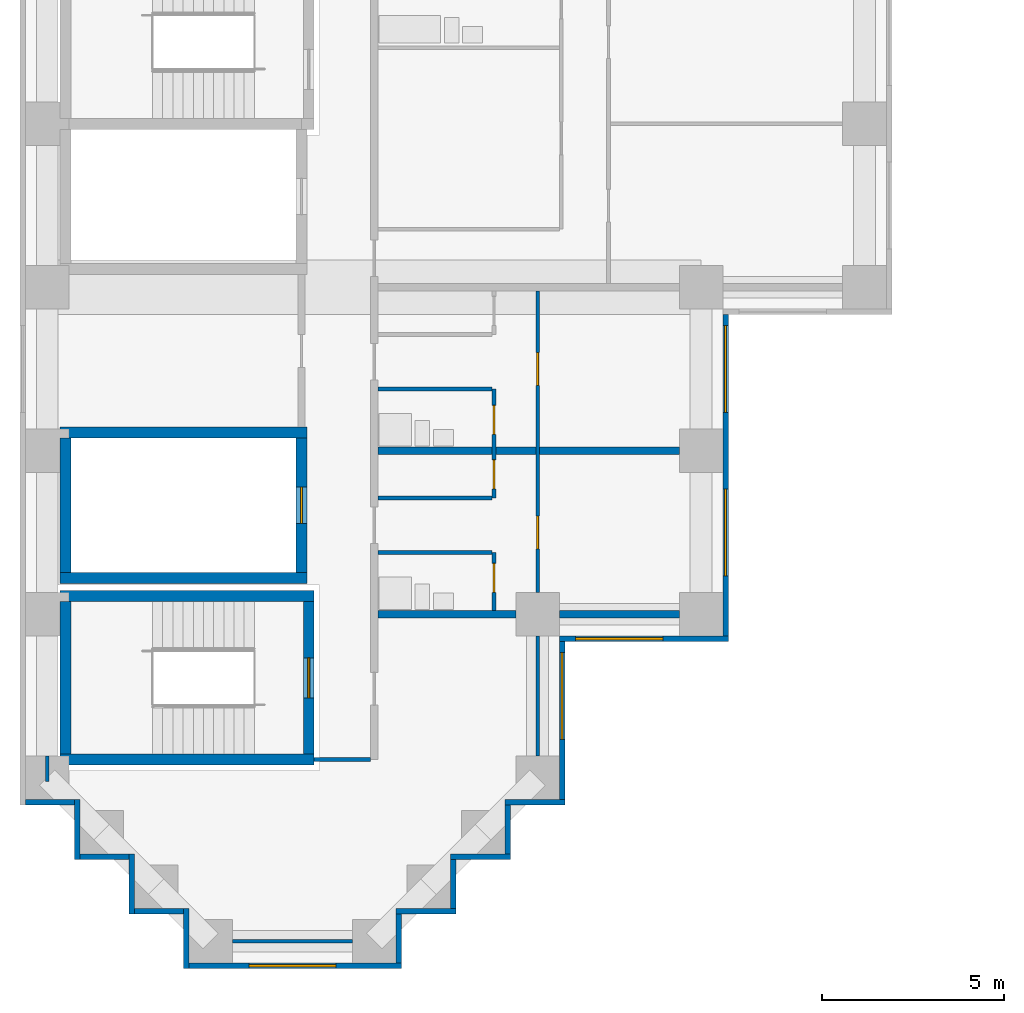
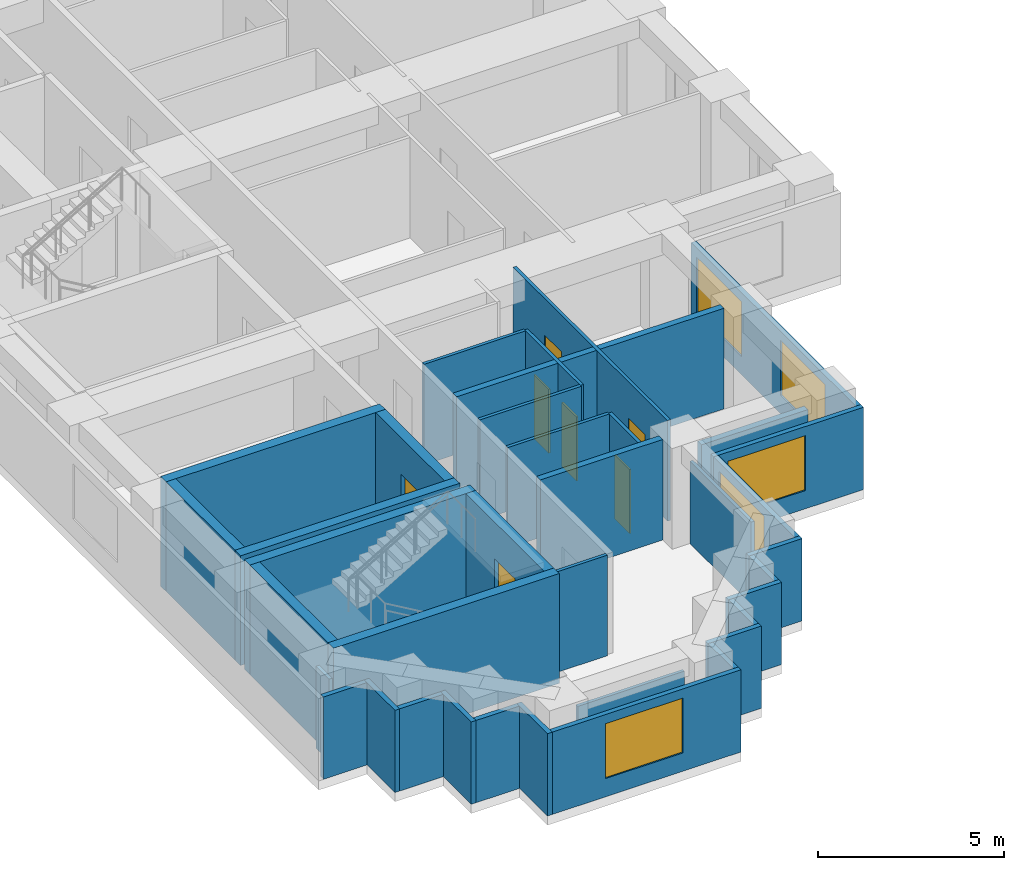
# One storey, part 2 of 12: 37 walls, 7 doors, 5 windows, 12 openings.
"""IFC4 building model written with IfcOpenShell, lengths in metres."""

from ifc_helpers import new_model, si_unit, direction, frame, frame_2d, origin, place, context, subcontext, project, spatial, rectangle, extrude, material, layer, layer_set, type_object, element, fill, save


model = new_model("IFC4")

# Units and contexts
model_context = context("Model", 3, precision=1e-05, world=origin(), true_north=direction((0.0, 1.0)))
body_context = subcontext(model_context, "Body", "Model", "MODEL_VIEW")
ifc_project = project(units=[si_unit("LENGTHUNIT", "METRE"), si_unit("AREAUNIT", "SQUARE_METRE"), si_unit("VOLUMEUNIT", "CUBIC_METRE"), si_unit("PLANEANGLEUNIT", "RADIAN"), si_unit("MASSUNIT", "GRAM", prefix="KILO")], contexts=[model_context])

# Site, building, storey
site_placement = place(None, origin())
site = spatial("IfcSite", under=ifc_project, at=site_placement, CompositionType="ELEMENT")
building_placement = place(site_placement, origin())
building = spatial("IfcBuilding", under=site, at=building_placement, Name="Firuza Court", CompositionType="ELEMENT")
storey_placement = place(building_placement, frame((0.0, 0.0, 36.199951171875)))
storey = spatial("IfcBuildingStorey", under=building, at=storey_placement, Name="L07", CompositionType="ELEMENT", Elevation=36.199951171875)

# Walls
ifc_material_1 = material(Name="Moisture-resistant gypsum board partition")
ifc_layer_1 = layer(ifc_material_1, 0.10009765625)
ifc_layer_set_1 = layer_set([ifc_layer_1], Name="Moisture-resistant gypsum board partition")
wall_type_1 = type_object("IfcWallType", Name="Bathroom partition 100", PredefinedType="PLUMBINGWALL", material=ifc_layer_set_1)
for number, where, z_axis, x_axis, name in (
    (1, (9.10009765625, 10.699951171875, 0.0), (0.0, 0.0, 1.0), (1.0, 0.0, 0.0), "Bathroom partition 100 L07"),
    (2, (9.10009765625, 15.199951171875, 0.0), (0.0, 0.0, 1.0), (1.0, 0.0, 0.0), "Bathroom partition 100 L07"),
):
    element("IfcWall", number, at=place(storey_placement, frame(where, z_axis=z_axis, x_axis=x_axis)), inside=storey, type_object=wall_type_1, Name=name, PredefinedType="PLUMBINGWALL", context=body_context, shape_type="SweptSolid", body=[
        extrude(rectangle(XDim=3.14990234375, YDim=0.10009765625, at=frame_2d((1.574951171875, 0.0))), origin(), (0.0, 0.0, 1.0), 3.300048828125),
    ])
ifc_material_2 = material(Name="Concrete C60/75", Category="concrete")
ifc_layer_2 = layer(ifc_material_2, 0.300048828125)
ifc_layer_set_2 = layer_set([ifc_layer_2], Name="Concrete C60/75")
wall_type_2 = type_object("IfcWallType", Name="Core wall 300 C60/75", PredefinedType="SHEAR", material=ifc_layer_set_2)
for number, where, z_axis, x_axis, name in (
    (3, (0.35009765625, 5.0, -0.300048828125), (0.0, 0.0, 1.0), (1.0, 0.0, 0.0), "Core wall stair L07"),
    (4, (0.35009765625, 9.5, -0.300048828125), (0.0, 0.0, 1.0), (1.0, 0.0, 0.0), "Core wall stair L07"),
):
    element("IfcWall", number, at=place(storey_placement, frame(where, z_axis=z_axis, x_axis=x_axis)), inside=storey, type_object=wall_type_2, Name=name, PredefinedType="SHEAR", context=body_context, shape_type="SweptSolid", body=[
        extrude(rectangle(XDim=7.0, YDim=0.300048828125, at=frame_2d((3.5, 0.0))), origin(), (0.0, 0.0, 1.0), 3.60009765625),
    ])
for number, where, z_axis, x_axis, name in (
    (5, (0.35009765625, 10.0, -0.300048828125), (0.0, 0.0, 1.0), (1.0, 0.0, 0.0), "Core wall riser L07"),
    (6, (0.35009765625, 14.0, -0.300048828125), (0.0, 0.0, 1.0), (1.0, 0.0, 0.0), "Core wall riser L07"),
):
    element("IfcWall", number, at=place(storey_placement, frame(where, z_axis=z_axis, x_axis=x_axis)), inside=storey, type_object=wall_type_2, Name=name, PredefinedType="SHEAR", context=body_context, shape_type="SweptSolid", body=[
        extrude(rectangle(XDim=6.7998046875, YDim=0.300048828125, at=frame_2d((3.39990234375, 0.0))), origin(), (0.0, 0.0, 1.0), 3.60009765625),
    ])
wall_1_placement = place(storey_placement, frame((0.5, 5.14990234375, -0.300048828125), z_axis=(0.0, 0.0, 1.0), x_axis=(0.0, 1.0, 0.0)))
element("IfcWall", 7, at=wall_1_placement, inside=storey, type_object=wall_type_2, Name="Core wall stair L07", PredefinedType="SHEAR", context=body_context, shape_type="SweptSolid", body=[
    extrude(rectangle(XDim=4.2001953125, YDim=0.300048828125, at=frame_2d((2.10009765625, 0.0))), origin(), (0.0, 0.0, 1.0), 3.60009765625),
])
wall_2_placement = place(storey_placement, frame((0.5, 10.14990234375, -0.300048828125), z_axis=(0.0, 0.0, 1.0), x_axis=(0.0, 1.0, 0.0)))
element("IfcWall", 8, at=wall_2_placement, inside=storey, type_object=wall_type_2, Name="Core wall riser L07", PredefinedType="SHEAR", context=body_context, shape_type="SweptSolid", body=[
    extrude(rectangle(XDim=3.7001953125, YDim=0.300048828125, at=frame_2d((1.85009765625, 0.0))), origin(), (0.0, 0.0, 1.0), 3.60009765625),
])

# Wall, opening, door
wall_3_placement = place(storey_placement, frame((7.0, 10.14990234375, -0.300048828125), z_axis=(0.0, 0.0, 1.0), x_axis=(0.0, 1.0, 0.0)))
wall_3 = element("IfcWall", 9, at=wall_3_placement, inside=storey, type_object=wall_type_2, Name="Core wall riser L07", PredefinedType="SHEAR", context=body_context, shape_type="SweptSolid", body=[
    extrude(rectangle(XDim=3.7001953125, YDim=0.300048828125, at=frame_2d((1.85009765625, 0.0))), origin(), (0.0, 0.0, 1.0), 3.60009765625),
])
opening_1_placement = place(wall_3_placement, frame((1.35009765625, 0.0, 0.300048828125)))
opening_1 = element("IfcOpeningElement", 10, at=opening_1_placement, cuts=wall_3, Name="Opening D07012", PredefinedType="OPENING", context=body_context, shape_type="SweptSolid", body=[
    extrude(rectangle(XDim=1.0, YDim=2.10009765625, at=frame_2d((0.5, 1.050048828125))), frame((0.0, 0.162109375, 0.0), z_axis=(0.0, -1.0, 0.0), x_axis=(1.0, 0.0, 0.0)), (0.0, 0.0, 1.0), 0.323974609375),
])
ifc_material_3 = material(Name="Timber door leaf in hardwood frame", Category="wood")
door_type_1 = type_object("IfcDoorType", Name="Riser door 1000", OperationType="SINGLE_SWING_LEFT", PredefinedType="DOOR", material=ifc_material_3)
door_1_placement = place(opening_1_placement, origin())
door_1 = element("IfcDoor", 11, at=door_1_placement, inside=storey, type_object=door_type_1, Name="Riser door R4", OperationType="SINGLE_SWING_LEFT", OverallHeight=2.10009765625, OverallWidth=1.0, PredefinedType="DOOR", context=body_context, shape_type="SweptSolid", body=[
    extrude(rectangle(XDim=1.0, YDim=2.10009765625, at=frame_2d((0.5, 1.050048828125))), frame((0.0, 0.02490234375, 0.0), z_axis=(0.0, -1.0, 0.0), x_axis=(1.0, 0.0, 0.0)), (0.0, 0.0, 1.0), 0.050048828125),
])
fill(opening_1, door_1)

wall_4_placement = place(storey_placement, frame((7.199951171875, 5.14990234375, -0.300048828125), z_axis=(0.0, 0.0, 1.0), x_axis=(0.0, 1.0, 0.0)))
wall_4 = element("IfcWall", 12, at=wall_4_placement, inside=storey, type_object=wall_type_2, Name="Core wall stair L07", PredefinedType="SHEAR", context=body_context, shape_type="SweptSolid", body=[
    extrude(rectangle(XDim=4.2001953125, YDim=0.300048828125, at=frame_2d((2.10009765625, 0.0))), origin(), (0.0, 0.0, 1.0), 3.60009765625),
])
opening_2_placement = place(wall_4_placement, frame((1.550048828125, 0.0, 0.300048828125)))
opening_2 = element("IfcOpeningElement", 13, at=opening_2_placement, cuts=wall_4, Name="Opening D07018", PredefinedType="OPENING", context=body_context, shape_type="SweptSolid", body=[
    extrude(rectangle(XDim=1.10009765625, YDim=2.10009765625, at=frame_2d((0.550048828125, 1.050048828125))), frame((0.0, 0.162109375, 0.0), z_axis=(0.0, -1.0, 0.0), x_axis=(1.0, 0.0, 0.0)), (0.0, 0.0, 1.0), 0.323974609375),
])
ifc_material_4 = material(Name="Timber door leaf in hardwood frame", Category="wood")
door_type_2 = type_object("IfcDoorType", Name="Stair door 1100", OperationType="SINGLE_SWING_LEFT", PredefinedType="DOOR", material=ifc_material_4)
door_2_placement = place(opening_2_placement, origin())
door_2 = element("IfcDoor", 14, at=door_2_placement, inside=storey, type_object=door_type_2, Name="Stair door S5", OperationType="SINGLE_SWING_LEFT", OverallHeight=2.10009765625, OverallWidth=1.10009765625, PredefinedType="DOOR", context=body_context, shape_type="SweptSolid", body=[
    extrude(rectangle(XDim=1.10009765625, YDim=2.10009765625, at=frame_2d((0.550048828125, 1.050048828125))), frame((0.0, 0.02490234375, 0.0), z_axis=(0.0, -1.0, 0.0), x_axis=(1.0, 0.0, 0.0)), (0.0, 0.0, 1.0), 0.050048828125),
])
fill(opening_2, door_2)

# Walls
ifc_material_5 = material(Name="Timber stud partition, plasterboard both sides", Category="wood")
ifc_layer_3 = layer(ifc_material_5, 0.10009765625)
ifc_layer_set_3 = layer_set([ifc_layer_3], Name="Timber stud partition, plasterboard both sides")
wall_type_3 = type_object("IfcWallType", Name="Partition wall 100", PredefinedType="PARTITIONING", material=ifc_layer_set_3)
wall_5_placement = place(storey_placement, frame((5.10009765625, 0.0, 0.0), z_axis=(0.0, 0.0, 1.0), x_axis=(1.0, 0.0, 0.0)))
element("IfcWall", 15, at=wall_5_placement, inside=storey, type_object=wall_type_3, Name="Partition wall 100 L07", PredefinedType="PARTITIONING", context=body_context, shape_type="SweptSolid", body=[
    extrude(rectangle(XDim=3.2998046875, YDim=0.10009765625, at=frame_2d((1.64990234375, 0.0))), origin(), (0.0, 0.0, 1.0), 2.699951171875),
])
wall_6_placement = place(storey_placement, frame((0.0, 4.39990234375, 0.0), z_axis=(0.0, 0.0, 1.0), x_axis=(0.0, 1.0, 0.0)))
element("IfcWall", 16, at=wall_6_placement, inside=storey, type_object=wall_type_3, Name="Partition wall 100 L07", PredefinedType="PARTITIONING", context=body_context, shape_type="SweptSolid", body=[
    extrude(rectangle(XDim=0.7001953125, YDim=0.10009765625, at=frame_2d((0.35009765625, 0.0))), origin(), (0.0, 0.0, 1.0), 2.699951171875),
])
wall_7_placement = place(storey_placement, frame((7.34912109375, 5.0, 0.0), z_axis=(0.0, 0.0, 1.0), x_axis=(1.0, 0.0, 0.0)))
element("IfcWall", 17, at=wall_7_placement, inside=storey, type_object=wall_type_3, Name="Partition wall 100 L07", PredefinedType="PARTITIONING", context=body_context, shape_type="SweptSolid", body=[
    extrude(rectangle(XDim=1.55078125, YDim=0.10009765625, at=frame_2d((0.775390625, 0.0))), origin(), (0.0, 0.0, 1.0), 3.300048828125),
])
wall_8_placement = place(storey_placement, frame((13.5, 5.10009765625, 0.0), z_axis=(0.0, 0.0, 1.0), x_axis=(0.0, 1.0, 0.0)))
element("IfcWall", 18, at=wall_8_placement, inside=storey, type_object=wall_type_3, Name="Partition wall 100 L07", PredefinedType="PARTITIONING", context=body_context, shape_type="SweptSolid", body=[
    extrude(rectangle(XDim=3.2998046875, YDim=0.10009765625, at=frame_2d((1.64990234375, 0.0))), origin(), (0.0, 0.0, 1.0), 2.699951171875),
])

# Wall, opening, door
wall_9_placement = place(storey_placement, frame((12.300048828125, 9.10009765625, 0.0), z_axis=(0.0, 0.0, 1.0), x_axis=(0.0, 1.0, 0.0)))
wall_9 = element("IfcWall", 19, at=wall_9_placement, inside=storey, type_object=wall_type_3, Name="Partition wall 100 L07", PredefinedType="PARTITIONING", context=body_context, shape_type="SweptSolid", body=[
    extrude(rectangle(XDim=1.599853515625, YDim=0.10009765625, at=frame_2d((0.7998046875, 0.0))), origin(), (0.0, 0.0, 1.0), 3.300048828125),
])
opening_3_placement = place(wall_9_placement, frame((0.5, 0.0, 0.0)))
opening_3 = element("IfcOpeningElement", 20, at=opening_3_placement, cuts=wall_9, Name="Opening D07025", PredefinedType="OPENING", context=body_context, shape_type="SweptSolid", body=[
    extrude(rectangle(XDim=0.800048828125, YDim=2.10009765625, at=frame_2d((0.39990234375, 1.050048828125))), frame((0.0, 0.06201171875, 0.0), z_axis=(0.0, -1.0, 0.0), x_axis=(1.0, 0.0, 0.0)), (0.0, 0.0, 1.0), 0.1240234375),
])
ifc_material_6 = material(Name="Timber door leaf in hardwood frame", Category="wood")
door_type_3 = type_object("IfcDoorType", Name="Bathroom door 800", OperationType="SINGLE_SWING_LEFT", PredefinedType="DOOR", material=ifc_material_6)
door_3_placement = place(opening_3_placement, origin())
door_3 = element("IfcDoor", 21, at=door_3_placement, inside=storey, type_object=door_type_3, Name="Bathroom door", OperationType="SINGLE_SWING_RIGHT", OverallHeight=2.10009765625, OverallWidth=0.800048828125, PredefinedType="DOOR", context=body_context, shape_type="SweptSolid", body=[
    extrude(rectangle(XDim=0.800048828125, YDim=2.10009765625, at=frame_2d((0.39990234375, 1.050048828125))), frame((0.0, 0.02490234375, 0.0), z_axis=(0.0, -1.0, 0.0), x_axis=(1.0, 0.0, 0.0)), (0.0, 0.0, 1.0), 0.050048828125),
])
fill(opening_3, door_3)

# Wall, openings, doors
wall_10_placement = place(storey_placement, frame((13.5, 9.60009765625, 0.0), z_axis=(0.0, 0.0, 1.0), x_axis=(0.0, 1.0, 0.0)))
wall_10 = element("IfcWall", 22, at=wall_10_placement, inside=storey, type_object=wall_type_3, Name="Partition wall 100 L07", PredefinedType="PARTITIONING", context=body_context, shape_type="SweptSolid", body=[
    extrude(rectangle(XDim=8.2998046875, YDim=0.10009765625, at=frame_2d((4.14990234375, 0.0))), origin(), (0.0, 0.0, 1.0), 3.300048828125),
])
opening_4_placement = place(wall_10_placement, frame((5.699951171875, 0.0, 0.0)))
opening_4 = element("IfcOpeningElement", 23, at=opening_4_placement, cuts=wall_10, Name="Opening D07026", PredefinedType="OPENING", context=body_context, shape_type="SweptSolid", body=[
    extrude(rectangle(XDim=0.89990234375, YDim=2.10009765625, at=frame_2d((0.449951171875, 1.050048828125))), frame((0.0, 0.06201171875, 0.0), z_axis=(0.0, -1.0, 0.0), x_axis=(1.0, 0.0, 0.0)), (0.0, 0.0, 1.0), 0.1240234375),
])
opening_5_placement = place(wall_10_placement, frame((1.199951171875, 0.0, 0.0)))
opening_5 = element("IfcOpeningElement", 24, at=opening_5_placement, cuts=wall_10, Name="Opening D07027", PredefinedType="OPENING", context=body_context, shape_type="SweptSolid", body=[
    extrude(rectangle(XDim=0.89990234375, YDim=2.10009765625, at=frame_2d((0.449951171875, 1.050048828125))), frame((0.0, 0.06201171875, 0.0), z_axis=(0.0, -1.0, 0.0), x_axis=(1.0, 0.0, 0.0)), (0.0, 0.0, 1.0), 0.1240234375),
])
ifc_material_7 = material(Name="Timber door leaf in hardwood frame", Category="wood")
door_type_4 = type_object("IfcDoorType", Name="Room door 900", OperationType="SINGLE_SWING_LEFT", PredefinedType="DOOR", material=ifc_material_7)
door_4_placement = place(opening_4_placement, frame((0.89990234375, 0.0, 0.0), z_axis=(0.0, 0.0, 1.0), x_axis=(-1.0, 0.0, 0.0)))
door_4 = element("IfcDoor", 25, at=door_4_placement, inside=storey, type_object=door_type_4, Name="Studio room door", OperationType="SINGLE_SWING_RIGHT", OverallHeight=2.10009765625, OverallWidth=0.89990234375, PredefinedType="DOOR", context=body_context, shape_type="SweptSolid", body=[
    extrude(rectangle(XDim=0.89990234375, YDim=2.10009765625, at=frame_2d((0.449951171875, 1.050048828125))), frame((0.0, 0.02490234375, 0.0), z_axis=(0.0, -1.0, 0.0), x_axis=(1.0, 0.0, 0.0)), (0.0, 0.0, 1.0), 0.050048828125),
])
fill(opening_4, door_4)
door_5_placement = place(opening_5_placement, frame((0.89990234375, 0.0, 0.0), z_axis=(0.0, 0.0, 1.0), x_axis=(-1.0, 0.0, 0.0)))
door_5 = element("IfcDoor", 26, at=door_5_placement, inside=storey, type_object=door_type_4, Name="Studio room door", OperationType="SINGLE_SWING_RIGHT", OverallHeight=2.10009765625, OverallWidth=0.89990234375, PredefinedType="DOOR", context=body_context, shape_type="SweptSolid", body=[
    extrude(rectangle(XDim=0.89990234375, YDim=2.10009765625, at=frame_2d((0.449951171875, 1.050048828125))), frame((0.0, 0.02490234375, 0.0), z_axis=(0.0, -1.0, 0.0), x_axis=(1.0, 0.0, 0.0)), (0.0, 0.0, 1.0), 0.050048828125),
])
fill(opening_5, door_5)

# Wall
wall_11_placement = place(storey_placement, frame((9.10009765625, 12.199951171875, 0.0), z_axis=(0.0, 0.0, 1.0), x_axis=(1.0, 0.0, 0.0)))
element("IfcWall", 27, at=wall_11_placement, inside=storey, type_object=wall_type_3, Name="Partition wall 100 L07", PredefinedType="PARTITIONING", context=body_context, shape_type="SweptSolid", body=[
    extrude(rectangle(XDim=3.14990234375, YDim=0.10009765625, at=frame_2d((1.574951171875, 0.0))), origin(), (0.0, 0.0, 1.0), 3.300048828125),
])

# Wall, openings, doors
wall_12_placement = place(storey_placement, frame((12.300048828125, 12.199951171875, 0.0), z_axis=(0.0, 0.0, 1.0), x_axis=(0.0, 1.0, 0.0)))
wall_12 = element("IfcWall", 28, at=wall_12_placement, inside=storey, type_object=wall_type_3, Name="Partition wall 100 L07", PredefinedType="PARTITIONING", context=body_context, shape_type="SweptSolid", body=[
    extrude(rectangle(XDim=3.0, YDim=0.10009765625, at=frame_2d((1.5, 0.0))), origin(), (0.0, 0.0, 1.0), 3.300048828125),
])
opening_6_placement = place(wall_12_placement, frame((1.75, 0.0, 0.0)))
opening_6 = element("IfcOpeningElement", 29, at=opening_6_placement, cuts=wall_12, Name="Opening D07028", PredefinedType="OPENING", context=body_context, shape_type="SweptSolid", body=[
    extrude(rectangle(XDim=0.800048828125, YDim=2.10009765625, at=frame_2d((0.39990234375, 1.050048828125))), frame((0.0, 0.06201171875, 0.0), z_axis=(0.0, -1.0, 0.0), x_axis=(1.0, 0.0, 0.0)), (0.0, 0.0, 1.0), 0.1240234375),
])
opening_7_placement = place(wall_12_placement, frame((0.25, 0.0, 0.0)))
opening_7 = element("IfcOpeningElement", 30, at=opening_7_placement, cuts=wall_12, Name="Opening D07029", PredefinedType="OPENING", context=body_context, shape_type="SweptSolid", body=[
    extrude(rectangle(XDim=0.800048828125, YDim=2.10009765625, at=frame_2d((0.39990234375, 1.050048828125))), frame((0.0, 0.06201171875, 0.0), z_axis=(0.0, -1.0, 0.0), x_axis=(1.0, 0.0, 0.0)), (0.0, 0.0, 1.0), 0.1240234375),
])
door_6_placement = place(opening_6_placement, origin())
door_6 = element("IfcDoor", 31, at=door_6_placement, inside=storey, type_object=door_type_3, Name="Bathroom door", OperationType="SINGLE_SWING_LEFT", OverallHeight=2.10009765625, OverallWidth=0.800048828125, PredefinedType="DOOR", context=body_context, shape_type="SweptSolid", body=[
    extrude(rectangle(XDim=0.800048828125, YDim=2.10009765625, at=frame_2d((0.39990234375, 1.050048828125))), frame((0.0, 0.02490234375, 0.0), z_axis=(0.0, -1.0, 0.0), x_axis=(1.0, 0.0, 0.0)), (0.0, 0.0, 1.0), 0.050048828125),
])
fill(opening_6, door_6)
ifc_material_8 = material(Name="Timber door leaf in hardwood frame", Category="wood")
door_type_5 = type_object("IfcDoorType", Name="Room door 800", OperationType="SINGLE_SWING_LEFT", PredefinedType="DOOR", material=ifc_material_8)
door_7_placement = place(opening_7_placement, origin())
door_7 = element("IfcDoor", 32, at=door_7_placement, inside=storey, type_object=door_type_5, Name="Kitchen door", OperationType="SINGLE_SWING_LEFT", OverallHeight=2.10009765625, OverallWidth=0.800048828125, PredefinedType="DOOR", context=body_context, shape_type="SweptSolid", body=[
    extrude(rectangle(XDim=0.800048828125, YDim=2.10009765625, at=frame_2d((0.39990234375, 1.050048828125))), frame((0.0, 0.02490234375, 0.0), z_axis=(0.0, -1.0, 0.0), x_axis=(1.0, 0.0, 0.0)), (0.0, 0.0, 1.0), 0.050048828125),
])
fill(opening_7, door_7)

# Walls
ifc_material_9 = material(Name="Blockwork, plastered both sides", Category="masonry")
ifc_layer_4 = layer(ifc_material_9, 0.199951171875)
ifc_layer_set_4 = layer_set([ifc_layer_4], Name="Blockwork, plastered both sides")
wall_type_4 = type_object("IfcWallType", Name="Party wall 200", PredefinedType="PARTITIONING", material=ifc_layer_set_4)
wall_13_placement = place(storey_placement, frame((9.10009765625, 9.0, 0.0), z_axis=(0.0, 0.0, 1.0), x_axis=(1.0, 0.0, 0.0)))
element("IfcWall", 33, at=wall_13_placement, inside=storey, type_object=wall_type_4, Name="Party wall 200 L07", PredefinedType="PARTITIONING", context=body_context, shape_type="SweptSolid", body=[
    extrude(rectangle(XDim=3.7998046875, YDim=0.199951171875, at=frame_2d((1.89990234375, 0.0))), origin(), (0.0, 0.0, 1.0), 3.300048828125),
])
wall_14_placement = place(storey_placement, frame((14.10009765625, 9.0, 0.0), z_axis=(0.0, 0.0, 1.0), x_axis=(1.0, 0.0, 0.0)))
element("IfcWall", 34, at=wall_14_placement, inside=storey, type_object=wall_type_4, Name="Party wall 200 L07", PredefinedType="PARTITIONING", context=body_context, shape_type="SweptSolid", body=[
    extrude(rectangle(XDim=3.2998046875, YDim=0.199951171875, at=frame_2d((1.64990234375, 0.0))), origin(), (0.0, 0.0, 1.0), 2.699951171875),
])
wall_15_placement = place(storey_placement, frame((9.10009765625, 13.5, 0.0), z_axis=(0.0, 0.0, 1.0), x_axis=(1.0, 0.0, 0.0)))
element("IfcWall", 35, at=wall_15_placement, inside=storey, type_object=wall_type_4, Name="Party wall 200 L07", PredefinedType="PARTITIONING", context=body_context, shape_type="SweptSolid", body=[
    extrude(rectangle(XDim=8.2998046875, YDim=0.199951171875, at=frame_2d((4.14990234375, 0.0))), origin(), (0.0, 0.0, 1.0), 3.300048828125),
])
ifc_material_10 = material(Name="Ceramic tile", Category="ceramic")
ifc_layer_5 = layer(ifc_material_10, 0.02001953125)
ifc_material_11 = material(Name="Mineral wool insulation", Category="insulation")
ifc_layer_6 = layer(ifc_material_11, 0.050048828125)
ifc_material_12 = material(Name="Concrete C40/50 precast", Category="concrete")
ifc_layer_7 = layer(ifc_material_12, 0.080078125)
ifc_layer_set_5 = layer_set([ifc_layer_5, ifc_layer_6, ifc_layer_7], Name="Concrete C40/50 precast")
wall_type_5 = type_object("IfcWallType", Name="Precast cladding wall with turquoise TILE PANEL face 150", PredefinedType="STANDARD", material=ifc_layer_set_5)
wall_16_placement = place(storey_placement, frame((9.675048828125, -0.60009765625, 0.0), z_axis=(0.0, 0.0, 1.0), x_axis=(0.0, 1.0, 0.0)))
element("IfcWall", 36, at=wall_16_placement, inside=storey, type_object=wall_type_5, Name="Facade wall L07 E", PredefinedType="STANDARD", context=body_context, shape_type="SweptSolid", body=[
    extrude(rectangle(XDim=1.35009765625, YDim=0.14990234375, at=frame_2d((0.675048828125, 0.0))), origin(), (0.0, 0.0, 1.0), 2.699951171875),
])
wall_17_placement = place(storey_placement, frame((9.60009765625, 0.824951171875, 0.0), z_axis=(0.0, 0.0, 1.0), x_axis=(1.0, 0.0, 0.0)))
element("IfcWall", 37, at=wall_17_placement, inside=storey, type_object=wall_type_5, Name="Facade wall L07 S", PredefinedType="STANDARD", context=body_context, shape_type="SweptSolid", body=[
    extrude(rectangle(XDim=1.64990234375, YDim=0.14990234375, at=frame_2d((0.824951171875, 0.0))), origin(), (0.0, 0.0, 1.0), 2.699951171875),
])
wall_18_placement = place(storey_placement, frame((11.175048828125, 0.89990234375, 0.0), z_axis=(0.0, 0.0, 1.0), x_axis=(0.0, 1.0, 0.0)))
element("IfcWall", 38, at=wall_18_placement, inside=storey, type_object=wall_type_5, Name="Facade wall L07 E", PredefinedType="STANDARD", context=body_context, shape_type="SweptSolid", body=[
    extrude(rectangle(XDim=1.35009765625, YDim=0.14990234375, at=frame_2d((0.675048828125, 0.0))), origin(), (0.0, 0.0, 1.0), 2.699951171875),
])
wall_19_placement = place(storey_placement, frame((11.10009765625, 2.324951171875, 0.0), z_axis=(0.0, 0.0, 1.0), x_axis=(1.0, 0.0, 0.0)))
element("IfcWall", 39, at=wall_19_placement, inside=storey, type_object=wall_type_5, Name="Facade wall L07 S", PredefinedType="STANDARD", context=body_context, shape_type="SweptSolid", body=[
    extrude(rectangle(XDim=1.64990234375, YDim=0.14990234375, at=frame_2d((0.824951171875, 0.0))), origin(), (0.0, 0.0, 1.0), 2.699951171875),
])
wall_20_placement = place(storey_placement, frame((12.675048828125, 2.39990234375, 0.0), z_axis=(0.0, 0.0, 1.0), x_axis=(0.0, 1.0, 0.0)))
element("IfcWall", 40, at=wall_20_placement, inside=storey, type_object=wall_type_5, Name="Facade wall L07 E", PredefinedType="STANDARD", context=body_context, shape_type="SweptSolid", body=[
    extrude(rectangle(XDim=1.35009765625, YDim=0.14990234375, at=frame_2d((0.675048828125, 0.0))), origin(), (0.0, 0.0, 1.0), 2.699951171875),
])
wall_21_placement = place(storey_placement, frame((12.60009765625, 3.824951171875, 0.0), z_axis=(0.0, 0.0, 1.0), x_axis=(1.0, 0.0, 0.0)))
element("IfcWall", 41, at=wall_21_placement, inside=storey, type_object=wall_type_5, Name="Facade wall L07 S", PredefinedType="STANDARD", context=body_context, shape_type="SweptSolid", body=[
    extrude(rectangle(XDim=1.64990234375, YDim=0.14990234375, at=frame_2d((0.824951171875, 0.0))), origin(), (0.0, 0.0, 1.0), 2.699951171875),
])

# Wall, opening, window
wall_22_placement = place(storey_placement, frame((14.175048828125, 3.89990234375, 0.0), z_axis=(0.0, 0.0, 1.0), x_axis=(0.0, 1.0, 0.0)))
wall_22 = element("IfcWall", 42, at=wall_22_placement, inside=storey, type_object=wall_type_5, Name="Facade wall L07 E", PredefinedType="STANDARD", context=body_context, shape_type="SweptSolid", body=[
    extrude(rectangle(XDim=4.35009765625, YDim=0.14990234375, at=frame_2d((2.175048828125, 0.0))), origin(), (0.0, 0.0, 1.0), 2.699951171875),
])
opening_8_placement = place(wall_22_placement, frame((1.64990234375, 0.0, 0.60009765625)))
opening_8 = element("IfcOpeningElement", 43, at=opening_8_placement, cuts=wall_22, Name="Opening W1", PredefinedType="OPENING", context=body_context, shape_type="SweptSolid", body=[
    extrude(rectangle(XDim=2.39990234375, YDim=1.800048828125, at=frame_2d((1.199951171875, 0.89990234375))), frame((0.0, 0.0869140625, 0.0), z_axis=(0.0, -1.0, 0.0), x_axis=(1.0, 0.0, 0.0)), (0.0, 0.0, 1.0), 0.173828125),
])
ifc_material_13 = material(Name="Aluminium frame, triple clear glazing", Category="aluminium")
window_type = type_object("IfcWindowType", Name="Window W1 2400 x 1800", PartitioningType="SINGLE_PANEL", PredefinedType="WINDOW", material=ifc_material_13)
window_1_placement = place(opening_8_placement, origin())
window_1 = element("IfcWindow", 44, at=window_1_placement, inside=storey, type_object=window_type, Name="Window L07", OverallHeight=1.800048828125, OverallWidth=2.39990234375, PartitioningType="SINGLE_PANEL", PredefinedType="WINDOW", context=body_context, shape_type="SweptSolid", body=[
    extrude(rectangle(XDim=2.39990234375, YDim=1.800048828125, at=frame_2d((1.199951171875, 0.89990234375))), frame((0.0, 0.030029296875, 0.0), z_axis=(0.0, -1.0, 0.0), x_axis=(1.0, 0.0, 0.0)), (0.0, 0.0, 1.0), 0.06005859375),
])
fill(opening_8, window_1)

wall_23_placement = place(storey_placement, frame((14.10009765625, 8.324951171875, 0.0), z_axis=(0.0, 0.0, 1.0), x_axis=(1.0, 0.0, 0.0)))
wall_23 = element("IfcWall", 45, at=wall_23_placement, inside=storey, type_object=wall_type_5, Name="Facade wall L07 S", PredefinedType="STANDARD", context=body_context, shape_type="SweptSolid", body=[
    extrude(rectangle(XDim=4.64990234375, YDim=0.14990234375, at=frame_2d((2.324951171875, 0.0))), origin(), (0.0, 0.0, 1.0), 2.699951171875),
])
opening_9_placement = place(wall_23_placement, frame((0.449951171875, 0.0, 0.60009765625)))
opening_9 = element("IfcOpeningElement", 46, at=opening_9_placement, cuts=wall_23, Name="Opening W1", PredefinedType="OPENING", context=body_context, shape_type="SweptSolid", body=[
    extrude(rectangle(XDim=2.39990234375, YDim=1.800048828125, at=frame_2d((1.199951171875, 0.89990234375))), frame((0.0, 0.0869140625, 0.0), z_axis=(0.0, -1.0, 0.0), x_axis=(1.0, 0.0, 0.0)), (0.0, 0.0, 1.0), 0.173828125),
])
window_2_placement = place(opening_9_placement, origin())
window_2 = element("IfcWindow", 47, at=window_2_placement, inside=storey, type_object=window_type, Name="Window L07", OverallHeight=1.800048828125, OverallWidth=2.39990234375, PartitioningType="SINGLE_PANEL", PredefinedType="WINDOW", context=body_context, shape_type="SweptSolid", body=[
    extrude(rectangle(XDim=2.39990234375, YDim=1.800048828125, at=frame_2d((1.199951171875, 0.89990234375))), frame((0.0, 0.030029296875, 0.0), z_axis=(0.0, -1.0, 0.0), x_axis=(1.0, 0.0, 0.0)), (0.0, 0.0, 1.0), 0.06005859375),
])
fill(opening_9, window_2)

# Wall, openings, windows
wall_24_placement = place(storey_placement, frame((18.675048828125, 8.39990234375, 0.0), z_axis=(0.0, 0.0, 1.0), x_axis=(0.0, 1.0, 0.0)))
wall_24 = element("IfcWall", 48, at=wall_24_placement, inside=storey, type_object=wall_type_5, Name="Facade wall L07 E", PredefinedType="STANDARD", context=body_context, shape_type="SweptSolid", body=[
    extrude(rectangle(XDim=8.85009765625, YDim=0.14990234375, at=frame_2d((4.425048828125, 0.0))), origin(), (0.0, 0.0, 1.0), 2.699951171875),
])
opening_10_placement = place(wall_24_placement, frame((1.64990234375, 0.0, 0.60009765625)))
opening_10 = element("IfcOpeningElement", 49, at=opening_10_placement, cuts=wall_24, Name="Opening W1", PredefinedType="OPENING", context=body_context, shape_type="SweptSolid", body=[
    extrude(rectangle(XDim=2.39990234375, YDim=1.800048828125, at=frame_2d((1.199951171875, 0.89990234375))), frame((0.0, 0.0869140625, 0.0), z_axis=(0.0, -1.0, 0.0), x_axis=(1.0, 0.0, 0.0)), (0.0, 0.0, 1.0), 0.173828125),
])
opening_11_placement = place(wall_24_placement, frame((6.14990234375, 0.0, 0.60009765625)))
opening_11 = element("IfcOpeningElement", 50, at=opening_11_placement, cuts=wall_24, Name="Opening W1", PredefinedType="OPENING", context=body_context, shape_type="SweptSolid", body=[
    extrude(rectangle(XDim=2.39990234375, YDim=1.800048828125, at=frame_2d((1.199951171875, 0.89990234375))), frame((0.0, 0.0869140625, 0.0), z_axis=(0.0, -1.0, 0.0), x_axis=(1.0, 0.0, 0.0)), (0.0, 0.0, 1.0), 0.173828125),
])
window_3_placement = place(opening_10_placement, origin())
window_3 = element("IfcWindow", 51, at=window_3_placement, inside=storey, type_object=window_type, Name="Window L07", OverallHeight=1.800048828125, OverallWidth=2.39990234375, PartitioningType="SINGLE_PANEL", PredefinedType="WINDOW", context=body_context, shape_type="SweptSolid", body=[
    extrude(rectangle(XDim=2.39990234375, YDim=1.800048828125, at=frame_2d((1.199951171875, 0.89990234375))), frame((0.0, 0.030029296875, 0.0), z_axis=(0.0, -1.0, 0.0), x_axis=(1.0, 0.0, 0.0)), (0.0, 0.0, 1.0), 0.06005859375),
])
fill(opening_10, window_3)
window_4_placement = place(opening_11_placement, origin())
window_4 = element("IfcWindow", 52, at=window_4_placement, inside=storey, type_object=window_type, Name="Window L07", OverallHeight=1.800048828125, OverallWidth=2.39990234375, PartitioningType="SINGLE_PANEL", PredefinedType="WINDOW", context=body_context, shape_type="SweptSolid", body=[
    extrude(rectangle(XDim=2.39990234375, YDim=1.800048828125, at=frame_2d((1.199951171875, 0.89990234375))), frame((0.0, 0.030029296875, 0.0), z_axis=(0.0, -1.0, 0.0), x_axis=(1.0, 0.0, 0.0)), (0.0, 0.0, 1.0), 0.06005859375),
])
fill(opening_11, window_4)

# Walls
wall_25_placement = place(storey_placement, frame((-0.60009765625, 3.824951171875, 0.0), z_axis=(0.0, 0.0, 1.0), x_axis=(1.0, 0.0, 0.0)))
element("IfcWall", 53, at=wall_25_placement, inside=storey, type_object=wall_type_5, Name="Facade wall L07 S", PredefinedType="STANDARD", context=body_context, shape_type="SweptSolid", body=[
    extrude(rectangle(XDim=1.35009765625, YDim=0.14990234375, at=frame_2d((0.675048828125, 0.0))), origin(), (0.0, 0.0, 1.0), 2.699951171875),
])
wall_26_placement = place(storey_placement, frame((0.824951171875, 3.89990234375, 0.0), z_axis=(0.0, 0.0, 1.0), x_axis=(0.0, -1.0, 0.0)))
element("IfcWall", 54, at=wall_26_placement, inside=storey, type_object=wall_type_5, Name="Facade wall L07 W", PredefinedType="STANDARD", context=body_context, shape_type="SweptSolid", body=[
    extrude(rectangle(XDim=1.64990234375, YDim=0.14990234375, at=frame_2d((0.824951171875, 0.0))), origin(), (0.0, 0.0, 1.0), 2.699951171875),
])
wall_27_placement = place(storey_placement, frame((0.89990234375, 2.324951171875, 0.0), z_axis=(0.0, 0.0, 1.0), x_axis=(1.0, 0.0, 0.0)))
element("IfcWall", 55, at=wall_27_placement, inside=storey, type_object=wall_type_5, Name="Facade wall L07 S", PredefinedType="STANDARD", context=body_context, shape_type="SweptSolid", body=[
    extrude(rectangle(XDim=1.35009765625, YDim=0.14990234375, at=frame_2d((0.675048828125, 0.0))), origin(), (0.0, 0.0, 1.0), 2.699951171875),
])
wall_28_placement = place(storey_placement, frame((2.324951171875, 2.39990234375, 0.0), z_axis=(0.0, 0.0, 1.0), x_axis=(0.0, -1.0, 0.0)))
element("IfcWall", 56, at=wall_28_placement, inside=storey, type_object=wall_type_5, Name="Facade wall L07 W", PredefinedType="STANDARD", context=body_context, shape_type="SweptSolid", body=[
    extrude(rectangle(XDim=1.64990234375, YDim=0.14990234375, at=frame_2d((0.824951171875, 0.0))), origin(), (0.0, 0.0, 1.0), 2.699951171875),
])
wall_29_placement = place(storey_placement, frame((2.39990234375, 0.824951171875, 0.0), z_axis=(0.0, 0.0, 1.0), x_axis=(1.0, 0.0, 0.0)))
element("IfcWall", 57, at=wall_29_placement, inside=storey, type_object=wall_type_5, Name="Facade wall L07 S", PredefinedType="STANDARD", context=body_context, shape_type="SweptSolid", body=[
    extrude(rectangle(XDim=1.35009765625, YDim=0.14990234375, at=frame_2d((0.675048828125, 0.0))), origin(), (0.0, 0.0, 1.0), 2.699951171875),
])
wall_30_placement = place(storey_placement, frame((3.824951171875, 0.89990234375, 0.0), z_axis=(0.0, 0.0, 1.0), x_axis=(0.0, -1.0, 0.0)))
element("IfcWall", 58, at=wall_30_placement, inside=storey, type_object=wall_type_5, Name="Facade wall L07 W", PredefinedType="STANDARD", context=body_context, shape_type="SweptSolid", body=[
    extrude(rectangle(XDim=1.64990234375, YDim=0.14990234375, at=frame_2d((0.824951171875, 0.0))), origin(), (0.0, 0.0, 1.0), 2.699951171875),
])

# Wall, opening, window
wall_31_placement = place(storey_placement, frame((3.89990234375, -0.675048828125, 0.0), z_axis=(0.0, 0.0, 1.0), x_axis=(1.0, 0.0, 0.0)))
wall_31 = element("IfcWall", 59, at=wall_31_placement, inside=storey, type_object=wall_type_5, Name="Facade wall L07 S", PredefinedType="STANDARD", context=body_context, shape_type="SweptSolid", body=[
    extrude(rectangle(XDim=5.85009765625, YDim=0.14990234375, at=frame_2d((2.925048828125, 0.0))), origin(), (0.0, 0.0, 1.0), 2.699951171875),
])
opening_12_placement = place(wall_31_placement, frame((1.64990234375, 0.0, 0.60009765625)))
opening_12 = element("IfcOpeningElement", 60, at=opening_12_placement, cuts=wall_31, Name="Opening W1", PredefinedType="OPENING", context=body_context, shape_type="SweptSolid", body=[
    extrude(rectangle(XDim=2.39990234375, YDim=1.800048828125, at=frame_2d((1.199951171875, 0.89990234375))), frame((0.0, 0.0869140625, 0.0), z_axis=(0.0, -1.0, 0.0), x_axis=(1.0, 0.0, 0.0)), (0.0, 0.0, 1.0), 0.173828125),
])
window_5_placement = place(opening_12_placement, origin())
window_5 = element("IfcWindow", 61, at=window_5_placement, inside=storey, type_object=window_type, Name="Window L07", OverallHeight=1.800048828125, OverallWidth=2.39990234375, PartitioningType="SINGLE_PANEL", PredefinedType="WINDOW", context=body_context, shape_type="SweptSolid", body=[
    extrude(rectangle(XDim=2.39990234375, YDim=1.800048828125, at=frame_2d((1.199951171875, 0.89990234375))), frame((0.0, 0.030029296875, 0.0), z_axis=(0.0, -1.0, 0.0), x_axis=(1.0, 0.0, 0.0)), (0.0, 0.0, 1.0), 0.06005859375),
])
fill(opening_12, window_5)

save(model, "model.ifc")
